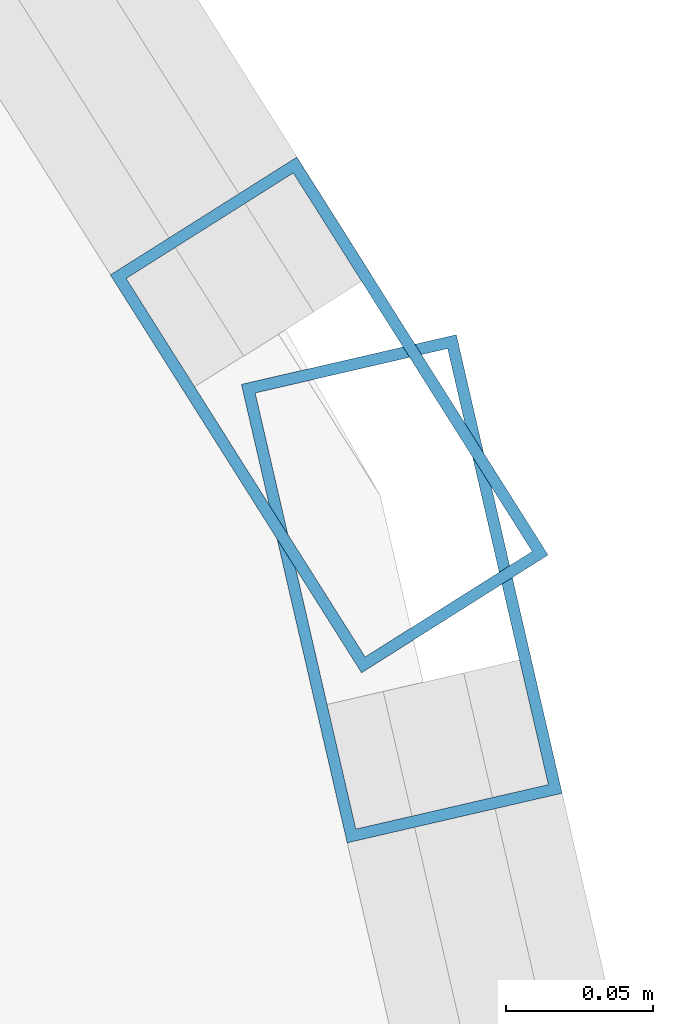
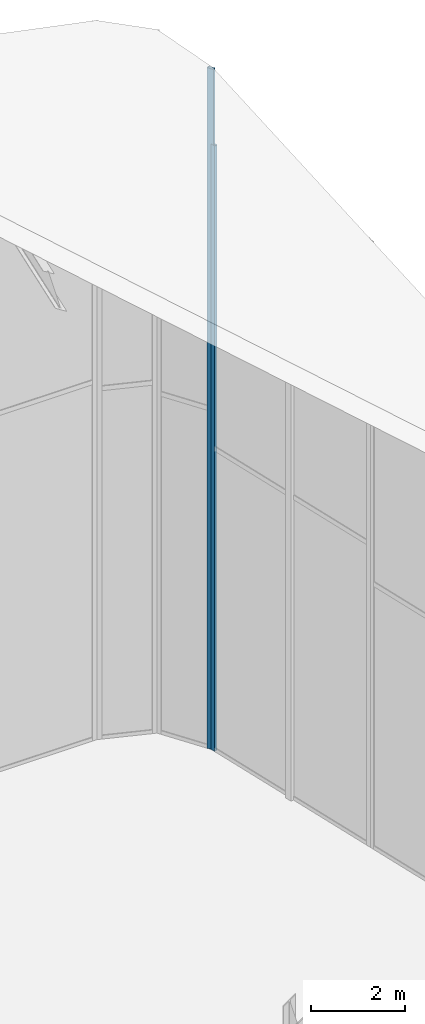
# One storey, part 64 of 74: 2 members, 2 elements without a shape of their own.
"""IFC4 building model written with IfcOpenShell, lengths in metres."""

from ifc_helpers import new_model, si_unit, direction, frame, origin, origin_2d, place, context, subcontext, project, spatial, hollow_rectangle, extrude, material, layer, layer_set, material_profile, profile_set, type_object, element, aggregate, save


model = new_model("IFC4")

# Units and contexts
model_context = context("Model", 3, precision=1e-05, world=origin(), true_north=direction((0.0, 1.0)))
body_context = subcontext(model_context, "Body", "Model", "MODEL_VIEW")
ifc_project = project(units=[si_unit("LENGTHUNIT", "METRE"), si_unit("AREAUNIT", "SQUARE_METRE"), si_unit("VOLUMEUNIT", "CUBIC_METRE"), si_unit("PLANEANGLEUNIT", "RADIAN"), si_unit("MASSUNIT", "GRAM", prefix="KILO")], contexts=[model_context])

# Site, building, storey
site_placement = place(None, origin())
site = spatial("IfcSite", under=ifc_project, at=site_placement, CompositionType="ELEMENT")
building_placement = place(site_placement, origin())
building = spatial("IfcBuilding", under=site, at=building_placement, Name="Keshet Zoharim Tower", CompositionType="ELEMENT")
storey_placement = place(building_placement, frame((0.0, 0.0, 320.0)))
storey = spatial("IfcBuildingStorey", under=building, at=storey_placement, Name="RF", CompositionType="ELEMENT", Elevation=320.0)

# Curtain wall, member
ifc_material = material(Name="Aluminium 6063-T6", Category="aluminium")
ifc_layer = layer(ifc_material, 0.260009765625)
ifc_layer_set = layer_set([ifc_layer], Name="Aluminium 6063-T6")
curtain_wall_type = type_object("IfcCurtainWallType", Name="CW-SYS-06", PredefinedType="NOTDEFINED", material=ifc_layer_set)
curtain_wall_1_placement = place(storey_placement, origin())
curtain_wall_1 = element("IfcCurtainWall", 1, at=curtain_wall_1_placement, inside=storey, type_object=curtain_wall_type, Name="Slanted Crown Curtain Wall 16", PredefinedType="NOTDEFINED")
ifc_material_profile = material_profile(ifc_material, hollow_rectangle(XDim=0.074951171875, YDim=0.159912109375, WallThickness=0.00390625, at=origin_2d()), Name="MUL-75x160")
ifc_profile_set = profile_set([ifc_material_profile], Name="Aluminium 6063-T6")
member_type = type_object("IfcMemberType", Name="CWM-M15", PredefinedType="MULLION", material=ifc_profile_set)
member_1_placement = place(storey_placement, frame((39.340576171875, 52.37744140625, 0.0), z_axis=(0.0, 0.0, 1.0), x_axis=(0.845560976183, 0.533878858502, 0.0)))
member_1 = element("IfcMember", 2, at=member_1_placement, type_object=member_type, Name="CW-06 mullion 2", PredefinedType="MULLION", context=body_context, shape_type="SweptSolid", body=[
    extrude(hollow_rectangle(XDim=0.074951171875, YDim=0.159912109375, WallThickness=0.00390625, at=origin_2d()), origin(), (0.0, 0.0, 1.0), 17.6240234375),
])
aggregate(curtain_wall_1, [member_1])

curtain_wall_2_placement = place(storey_placement, origin())
curtain_wall_2 = element("IfcCurtainWall", 3, at=curtain_wall_2_placement, inside=storey, type_object=curtain_wall_type, Name="Slanted Crown Curtain Wall 17", PredefinedType="NOTDEFINED")
member_2_placement = place(storey_placement, frame((39.365234375, 52.318359375, 0.0), z_axis=(0.0, 0.0, 1.0), x_axis=(0.974384378225, 0.224889047025, 0.0)))
member_2 = element("IfcMember", 4, at=member_2_placement, type_object=member_type, Name="CW-06 mullion 1", PredefinedType="MULLION", context=body_context, shape_type="SweptSolid", body=[
    extrude(hollow_rectangle(XDim=0.074951171875, YDim=0.159912109375, WallThickness=0.00390625, at=origin_2d()), origin(), (0.0, 0.0, 1.0), 15.678955078125),
])
aggregate(curtain_wall_2, [member_2])

save(model, "model.ifc")
